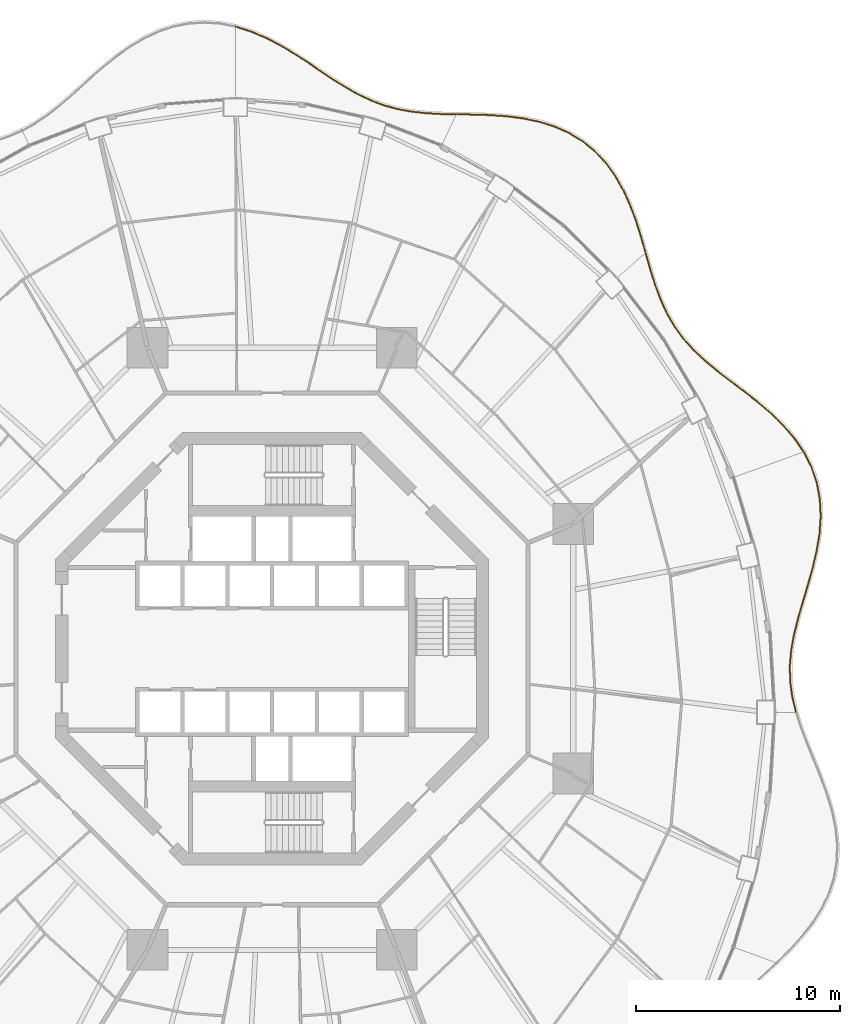
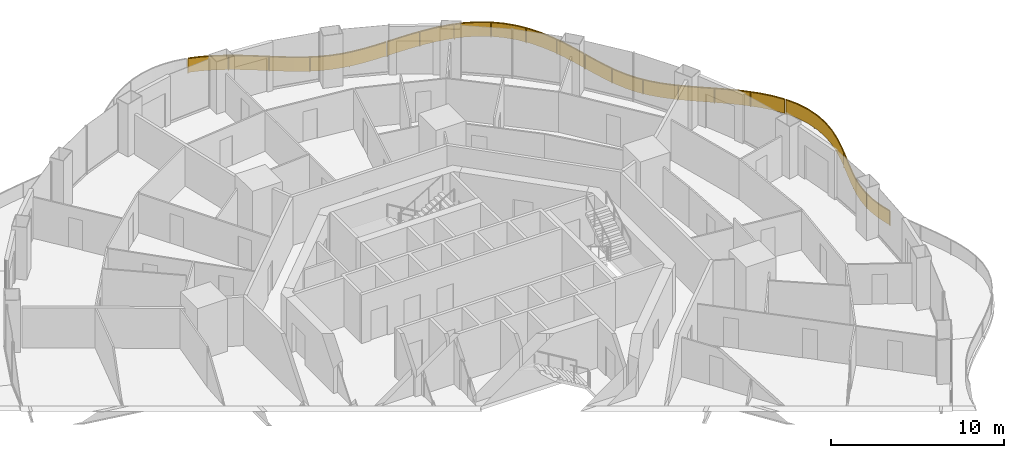
# One storey, part 21 of 21: 4 railings.
"""IFC4 building model written with IfcOpenShell, lengths in metres."""

from ifc_helpers import new_model, si_unit, direction, frame, origin, origin_2d, place, context, subcontext, project, spatial, polyline, rectangle, outline, extrude, material, type_object, element, save


model = new_model("IFC4")

# Units and contexts
model_context = context("Model", 3, precision=1e-05, world=origin(), true_north=direction((0.0, 1.0)))
body_context = subcontext(model_context, "Body", "Model", "MODEL_VIEW")
ifc_project = project(units=[si_unit("LENGTHUNIT", "METRE"), si_unit("AREAUNIT", "SQUARE_METRE"), si_unit("VOLUMEUNIT", "CUBIC_METRE"), si_unit("PLANEANGLEUNIT", "RADIAN"), si_unit("MASSUNIT", "GRAM", prefix="KILO")], contexts=[model_context])

# Site, building, storey
site_placement = place(None, origin())
site = spatial("IfcSite", under=ifc_project, at=site_placement, CompositionType="ELEMENT")
building_placement = place(site_placement, origin())
building = spatial("IfcBuilding", under=site, at=building_placement, Name="Nagisa Residences", CompositionType="ELEMENT")
storey_placement = place(building_placement, frame((0.0, 0.0, 134.39990234375)))
storey = spatial("IfcBuildingStorey", under=building, at=storey_placement, Name="L33", CompositionType="ELEMENT", Elevation=134.39990234375)

# Railings
ifc_material = material(Name="Stainless steel 316", Category="steel")
railing_type = type_object("IfcRailingType", Name="BALCONY GUARD 1100", PredefinedType="BALUSTRADE", material=ifc_material)
railing_1_placement = place(storey_placement, frame((25.712158203125, -3.0830078125, 0.0)))
element("IfcRailing", 1, at=railing_1_placement, inside=storey, type_object=railing_type, Name="guard:L33:bal00-0", PredefinedType="BALUSTRADE", context=body_context, shape_type="SweptSolid", body=[
    extrude(outline(polyline([(-0.19677734375, 0.710693359375), (-0.0244140625, -0.005859375), (0.0244140625, 0.005859375), (-0.1474609375, 0.719970703125), (-0.250244140625, 1.47021484375), (-0.26904296875, 2.22314453125), (-0.206298828125, 2.984619140625), (-0.0703125, 3.760009765625), (0.126220703125, 4.539306640625), (0.359619140625, 5.35205078125), (0.608154296875, 6.183837890625), (0.845947265625, 7.03125), (1.046875, 7.889404296875), (1.189453125, 8.736572265625), (1.246337890625, 9.592041015625), (1.203369140625, 10.432373046875), (1.05078125, 11.247802734375), (0.7841796875, 12.030029296875), (0.427001953125, 12.729248046875), (0.382568359375, 12.706298828125), (0.73779296875, 12.010498046875), (1.00244140625, 11.235107421875), (1.153564453125, 10.426513671875), (1.196044921875, 9.592529296875), (1.1396484375, 8.742431640625), (0.99755859375, 7.899169921875), (0.797607421875, 7.0439453125), (0.560302734375, 6.197998046875), (0.311767578125, 5.3662109375), (0.077880859375, 4.552490234375), (-0.119140625, 3.770263671875), (-0.256103515625, 2.990966796875), (-0.3193359375, 2.224609375), (-0.300048828125, 1.46630859375), (-0.19677734375, 0.710693359375)])), frame((0.0, 0.0, 1.050048828125)), (0.0, 0.0, 1.0), 0.050048828125),
    extrude(outline(polyline([(-0.178955078125, 0.714111328125), (-0.0068359375, -0.001708984375), (0.0068359375, 0.001708984375), (-0.165283203125, 0.716552734375), (-0.26806640625, 1.46875), (-0.287109375, 2.2236328125), (-0.224365234375, 2.98681640625), (-0.087890625, 3.763671875), (0.10888671875, 4.544189453125), (0.342529296875, 5.357177734375), (0.591064453125, 6.18896484375), (0.82861328125, 7.035888671875), (1.029052734375, 7.892822265625), (1.171630859375, 8.73876953125), (1.228271484375, 9.59228515625), (1.185546875, 10.43017578125), (1.033447265625, 11.2431640625), (0.767333984375, 12.02294921875), (0.4111328125, 12.720947265625), (0.3984375, 12.714599609375), (0.754638671875, 12.017578125), (1.019775390625, 11.23974609375), (1.17138671875, 10.4287109375), (1.214111328125, 9.59228515625), (1.157470703125, 8.740234375), (1.015380859375, 7.895751953125), (0.81494140625, 7.039306640625), (0.577392578125, 6.19287109375), (0.328857421875, 5.361083984375), (0.09521484375, 4.547607421875), (-0.1015625, 3.7666015625), (-0.238037109375, 2.98876953125), (-0.30126953125, 2.22412109375), (-0.2822265625, 1.4677734375), (-0.178955078125, 0.714111328125)])), frame((0.0, 0.0, 0.06005859375)), (0.0, 0.0, 1.0), 0.989990234375),
    extrude(rectangle(XDim=0.0400390625, YDim=0.0400390625, at=origin_2d()), origin(), (0.0, 0.0, 1.0), 1.050048828125),
    extrude(rectangle(XDim=0.0400390625, YDim=0.0400390625, at=origin_2d()), frame((-0.292236328125, 2.150390625, 0.0)), (0.0, 0.0, 1.0), 1.050048828125),
    extrude(rectangle(XDim=0.0400390625, YDim=0.0400390625, at=origin_2d()), frame((0.039306640625, 4.297119140625, 0.0)), (0.0, 0.0, 1.0), 1.050048828125),
    extrude(rectangle(XDim=0.0400390625, YDim=0.0400390625, at=origin_2d()), frame((0.64013671875, 6.390625, 0.0)), (0.0, 0.0, 1.0), 1.050048828125),
    extrude(rectangle(XDim=0.0400390625, YDim=0.0400390625, at=origin_2d()), frame((1.126220703125, 8.51171875, 0.0)), (0.0, 0.0, 1.0), 1.050048828125),
    extrude(rectangle(XDim=0.0400390625, YDim=0.0400390625, at=origin_2d()), frame((1.1318359375, 10.67919921875, 0.0)), (0.0, 0.0, 1.0), 1.050048828125),
    extrude(rectangle(XDim=0.0400390625, YDim=0.0400390625, at=origin_2d()), frame((0.40478515625, 12.7177734375, 0.0)), (0.0, 0.0, 1.0), 1.050048828125),
])
railing_2_placement = place(storey_placement, frame((26.0771484375, 9.701171875, 0.0)))
element("IfcRailing", 2, at=railing_2_placement, inside=storey, type_object=railing_type, Name="guard:L33:bal01-0", PredefinedType="BALUSTRADE", context=body_context, shape_type="SweptSolid", body=[
    extrude(outline(polyline([(-0.45654296875, 0.620361328125), (-0.0205078125, -0.01416015625), (0.0205078125, 0.01416015625), (-0.4169921875, 0.651123046875), (-0.961669921875, 1.28466796875), (-1.5703125, 1.8779296875), (-2.221923828125, 2.43505859375), (-2.894775390625, 2.9638671875), (-3.5595703125, 3.46142578125), (-4.209716796875, 3.96484375), (-4.8203125, 4.473388671875), (-5.37841796875, 4.99951171875), (-5.875, 5.553955078125), (-6.29833984375, 6.13330078125), (-6.66748046875, 6.76904296875), (-6.981201171875, 7.4521484375), (-7.2509765625, 8.180908203125), (-7.4921875, 8.950439453125), (-7.707275390625, 9.708984375), (-7.755615234375, 9.6953125), (-7.5400390625, 8.936279296875), (-7.29833984375, 8.164794921875), (-7.027587890625, 7.43310546875), (-6.7119140625, 6.74609375), (-6.34033203125, 6.10595703125), (-5.9140625, 5.522216796875), (-5.4140625, 4.96435546875), (-4.853515625, 4.435791015625), (-4.240966796875, 3.92578125), (-3.58984375, 3.42138671875), (-2.925048828125, 2.92431640625), (-2.253662109375, 2.396484375), (-1.60400390625, 1.8408203125), (-0.998291015625, 1.25048828125), (-0.45654296875, 0.620361328125)])), frame((0.0, 0.0, 1.050048828125)), (0.0, 0.0, 1.0), 0.050048828125),
    extrude(outline(polyline([(-0.4423828125, 0.63134765625), (-0.005859375, -0.00390625), (0.005859375, 0.00390625), (-0.43115234375, 0.64013671875), (-0.974853515625, 1.2724609375), (-1.58251953125, 1.864501953125), (-2.2333984375, 2.421142578125), (-2.90576171875, 2.94970703125), (-3.570556640625, 3.447021484375), (-4.220947265625, 3.95068359375), (-4.832275390625, 4.459716796875), (-5.39111328125, 4.98681640625), (-5.88916015625, 5.54248046875), (-6.3134765625, 6.12353515625), (-6.68359375, 6.7607421875), (-6.997802734375, 7.4453125), (-7.26806640625, 8.175048828125), (-7.509521484375, 8.9453125), (-7.724609375, 9.7041015625), (-7.73828125, 9.7001953125), (-7.522705078125, 8.94140625), (-7.28125, 8.170654296875), (-7.010986328125, 7.43994140625), (-6.69580078125, 6.75439453125), (-6.3251953125, 6.11572265625), (-5.89990234375, 5.53369140625), (-5.4013671875, 4.97705078125), (-4.841552734375, 4.449462890625), (-4.229736328125, 3.93994140625), (-3.578857421875, 3.435791015625), (-2.9140625, 2.9384765625), (-2.2421875, 2.410400390625), (-1.591796875, 1.854248046875), (-0.985107421875, 1.2626953125), (-0.4423828125, 0.63134765625)])), frame((0.0, 0.0, 0.06005859375)), (0.0, 0.0, 1.0), 0.989990234375),
    extrude(rectangle(XDim=0.0400390625, YDim=0.0400390625, at=origin_2d()), origin(), (0.0, 0.0, 1.0), 1.050048828125),
    extrude(rectangle(XDim=0.0400390625, YDim=0.0400390625, at=origin_2d()), frame((-1.348388671875, 1.626708984375, 0.0)), (0.0, 0.0, 1.0), 1.050048828125),
    extrude(rectangle(XDim=0.0400390625, YDim=0.0400390625, at=origin_2d()), frame((-2.9697265625, 2.98876953125, 0.0)), (0.0, 0.0, 1.0), 1.050048828125),
    extrude(rectangle(XDim=0.0400390625, YDim=0.0400390625, at=origin_2d()), frame((-4.640869140625, 4.291259765625, 0.0)), (0.0, 0.0, 1.0), 1.050048828125),
    extrude(rectangle(XDim=0.0400390625, YDim=0.0400390625, at=origin_2d()), frame((-6.10009765625, 5.8193359375, 0.0)), (0.0, 0.0, 1.0), 1.050048828125),
    extrude(rectangle(XDim=0.0400390625, YDim=0.0400390625, at=origin_2d()), frame((-7.09326171875, 7.682373046875, 0.0)), (0.0, 0.0, 1.0), 1.050048828125),
    extrude(rectangle(XDim=0.0400390625, YDim=0.0400390625, at=origin_2d()), frame((-7.7314453125, 9.7021484375, 0.0)), (0.0, 0.0, 1.0), 1.050048828125),
])
railing_3_placement = place(storey_placement, frame((18.326416015625, 19.476806640625, 0.0)))
element("IfcRailing", 3, at=railing_3_placement, inside=storey, type_object=railing_type, Name="guard:L33:bal02-0", PredefinedType="BALUSTRADE", context=body_context, shape_type="SweptSolid", body=[
    extrude(outline(polyline([(-0.234619140625, 0.73095703125), (-0.024169921875, -0.0068359375), (0.024169921875, 0.0068359375), (-0.186767578125, 0.74560546875), (-0.435546875, 1.52978515625), (-0.72265625, 2.302734375), (-1.060546875, 3.0478515625), (-1.45947265625, 3.749267578125), (-1.91357421875, 4.3828125), (-2.44970703125, 4.957275390625), (-3.0546875, 5.452392578125), (-3.723876953125, 5.863037109375), (-4.44873046875, 6.18798828125), (-5.205810546875, 6.42236328125), (-6.0068359375, 6.58984375), (-6.828857421875, 6.695068359375), (-7.657958984375, 6.751953125), (-8.481689453125, 6.778076171875), (-9.245361328125, 6.788330078125), (-9.245849609375, 6.738525390625), (-8.482666015625, 6.728271484375), (-7.660400390625, 6.7021484375), (-6.833740234375, 6.645263671875), (-6.01513671875, 6.54052734375), (-5.218505859375, 6.3740234375), (-4.46630859375, 6.14111328125), (-3.747314453125, 5.818603515625), (-3.083984375, 5.411376953125), (-2.48388671875, 4.920654296875), (-1.9521484375, 4.35107421875), (-1.50146484375, 3.722412109375), (-1.10498046875, 3.02490234375), (-0.76904296875, 2.28369140625), (-0.48291015625, 1.513671875), (-0.234619140625, 0.73095703125)])), frame((0.0, 0.0, 1.050048828125)), (0.0, 0.0, 1.0), 0.050048828125),
    extrude(outline(polyline([(-0.21728515625, 0.736328125), (-0.0068359375, -0.001953125), (0.0068359375, 0.001953125), (-0.2041015625, 0.740234375), (-0.45263671875, 1.52392578125), (-0.7392578125, 2.2958984375), (-1.076416015625, 3.03955078125), (-1.474609375, 3.739501953125), (-1.927490234375, 4.371337890625), (-2.4619140625, 4.944091796875), (-3.065185546875, 5.4375), (-3.732421875, 5.846923828125), (-4.455078125, 6.171142578125), (-5.21044921875, 6.405029296875), (-6.009765625, 6.572021484375), (-6.83056640625, 6.67724609375), (-7.658935546875, 6.734130859375), (-8.48193359375, 6.76025390625), (-9.24560546875, 6.7705078125), (-9.24560546875, 6.75634765625), (-8.482421875, 6.74609375), (-7.659423828125, 6.719970703125), (-6.83203125, 6.6630859375), (-6.01220703125, 6.558349609375), (-5.2138671875, 6.391357421875), (-4.4599609375, 6.157958984375), (-3.73876953125, 5.834716796875), (-3.073486328125, 5.42626953125), (-2.4716796875, 4.933837890625), (-1.938232421875, 4.362548828125), (-1.486328125, 3.732177734375), (-1.089111328125, 3.033203125), (-0.75244140625, 2.29052734375), (-0.4658203125, 1.51953125), (-0.21728515625, 0.736328125)])), frame((0.0, 0.0, 0.06005859375)), (0.0, 0.0, 1.0), 0.989990234375),
    extrude(rectangle(XDim=0.0400390625, YDim=0.0400390625, at=origin_2d()), origin(), (0.0, 0.0, 1.0), 1.050048828125),
    extrude(rectangle(XDim=0.0400390625, YDim=0.0400390625, at=origin_2d()), frame((-0.648193359375, 2.0302734375, 0.0)), (0.0, 0.0, 1.0), 1.050048828125),
    extrude(rectangle(XDim=0.0400390625, YDim=0.0400390625, at=origin_2d()), frame((-1.615234375, 3.923828125, 0.0)), (0.0, 0.0, 1.0), 1.050048828125),
    extrude(rectangle(XDim=0.0400390625, YDim=0.0400390625, at=origin_2d()), frame((-3.091552734375, 5.445556640625, 0.0)), (0.0, 0.0, 1.0), 1.050048828125),
    extrude(rectangle(XDim=0.0400390625, YDim=0.0400390625, at=origin_2d()), frame((-5.0166015625, 6.337646484375, 0.0)), (0.0, 0.0, 1.0), 1.050048828125),
    extrude(rectangle(XDim=0.0400390625, YDim=0.0400390625, at=origin_2d()), frame((-7.115234375, 6.689697265625, 0.0)), (0.0, 0.0, 1.0), 1.050048828125),
    extrude(rectangle(XDim=0.0400390625, YDim=0.0400390625, at=origin_2d()), frame((-9.24560546875, 6.763427734375, 0.0)), (0.0, 0.0, 1.0), 1.050048828125),
])
railing_4_placement = place(storey_placement, frame((9.00537109375, 26.23974609375, 0.0)))
element("IfcRailing", 4, at=railing_4_placement, inside=storey, type_object=railing_type, Name="guard:L33:bal03-0", PredefinedType="BALUSTRADE", context=body_context, shape_type="SweptSolid", body=[
    extrude(outline(polyline([(-0.713623046875, -0.00927734375), (-0.00048828125, -0.02490234375), (0.00048828125, 0.02490234375), (-0.711669921875, 0.04052734375), (-1.44384765625, 0.081298828125), (-2.148681640625, 0.15771484375), (-2.82666015625, 0.280517578125), (-3.481689453125, 0.4580078125), (-4.1015625, 0.688720703125), (-4.726806640625, 0.98193359375), (-5.347900390625, 1.328125), (-5.97216796875, 1.71826171875), (-6.606689453125, 2.139404296875), (-7.239501953125, 2.57275390625), (-7.91015625, 3.00634765625), (-8.60302734375, 3.417724609375), (-9.318603515625, 3.7880859375), (-10.054931640625, 4.09912109375), (-10.760986328125, 4.322998046875), (-10.776123046875, 4.275146484375), (-10.072509765625, 4.05224609375), (-9.340087890625, 3.74267578125), (-8.62744140625, 3.373779296875), (-7.9365234375, 2.9638671875), (-7.267333984375, 2.53125), (-6.634521484375, 2.097900390625), (-5.99951171875, 1.67626953125), (-5.373291015625, 1.28515625), (-4.749755859375, 0.9375), (-4.12109375, 0.642333984375), (-3.496826171875, 0.41015625), (-2.837890625, 0.231689453125), (-2.156005859375, 0.10791015625), (-1.44775390625, 0.031494140625), (-0.713623046875, -0.00927734375)])), frame((0.0, 0.0, 1.050048828125)), (0.0, 0.0, 1.0), 0.050048828125),
    extrude(outline(polyline([(-0.712890625, 0.008544921875), (-0.000244140625, -0.007080078125), (0.000244140625, 0.007080078125), (-0.71240234375, 0.022705078125), (-1.4453125, 0.0634765625), (-2.1513671875, 0.1396484375), (-2.830810546875, 0.262939453125), (-3.487060546875, 0.440673828125), (-4.108642578125, 0.671875), (-4.735107421875, 0.966064453125), (-5.35693359375, 1.312744140625), (-5.98193359375, 1.703125), (-6.61669921875, 2.12451171875), (-7.24951171875, 2.557861328125), (-7.919677734375, 2.990966796875), (-8.61181640625, 3.40185546875), (-9.326416015625, 3.771728515625), (-10.061279296875, 4.082275390625), (-10.766357421875, 4.3056640625), (-10.770751953125, 4.29248046875), (-10.066162109375, 4.069091796875), (-9.332275390625, 3.759033203125), (-8.61865234375, 3.3896484375), (-7.927001953125, 2.979248046875), (-7.25732421875, 2.546142578125), (-6.62451171875, 2.11279296875), (-5.98974609375, 1.69140625), (-5.3642578125, 1.300537109375), (-4.741455078125, 0.953369140625), (-4.114013671875, 0.6591796875), (-3.491455078125, 0.427490234375), (-2.833740234375, 0.249267578125), (-2.1533203125, 0.1259765625), (-1.4462890625, 0.04931640625), (-0.712890625, 0.008544921875)])), frame((0.0, 0.0, 0.06005859375)), (0.0, 0.0, 1.0), 0.989990234375),
    extrude(rectangle(XDim=0.0400390625, YDim=0.0400390625, at=origin_2d()), origin(), (0.0, 0.0, 1.0), 1.050048828125),
    extrude(rectangle(XDim=0.0400390625, YDim=0.0400390625, at=origin_2d()), frame((-2.352783203125, 0.169189453125, 0.0)), (0.0, 0.0, 1.0), 1.050048828125),
    extrude(rectangle(XDim=0.0400390625, YDim=0.0400390625, at=origin_2d()), frame((-4.5908203125, 0.890625, 0.0)), (0.0, 0.0, 1.0), 1.050048828125),
    extrude(rectangle(XDim=0.0400390625, YDim=0.0400390625, at=origin_2d()), frame((-6.60986328125, 2.111572265625, 0.0)), (0.0, 0.0, 1.0), 1.050048828125),
    extrude(rectangle(XDim=0.0400390625, YDim=0.0400390625, at=origin_2d()), frame((-8.597412109375, 3.38525390625, 0.0)), (0.0, 0.0, 1.0), 1.050048828125),
    extrude(rectangle(XDim=0.0400390625, YDim=0.0400390625, at=origin_2d()), frame((-10.7685546875, 4.299072265625, 0.0)), (0.0, 0.0, 1.0), 1.050048828125),
])

save(model, "model.ifc")
